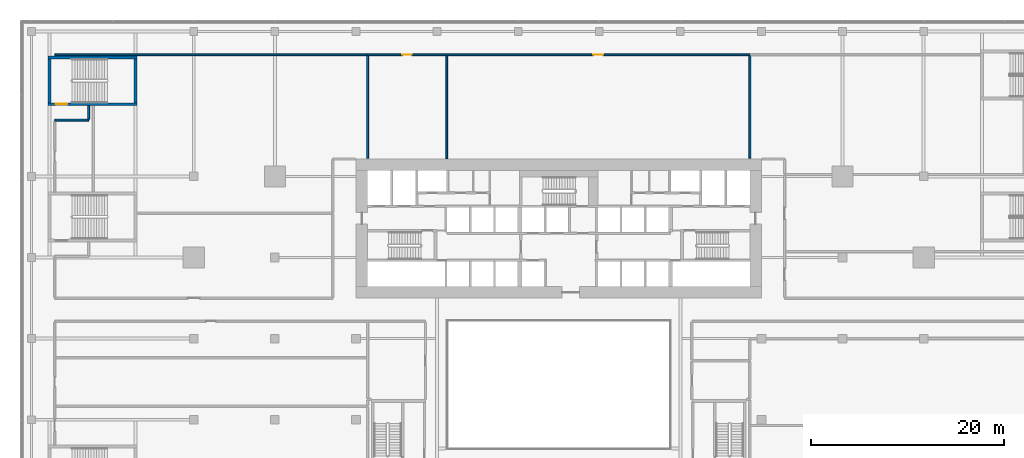
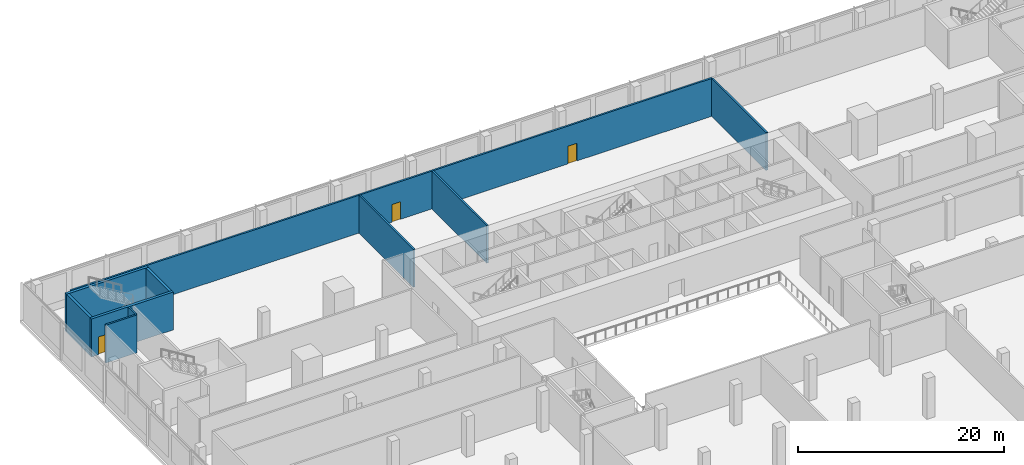
# One storey, part 33 of 39: 11 walls, 3 doors, 3 openings.
"""IFC4 building model written with IfcOpenShell, lengths in metres."""

from ifc_helpers import new_model, si_unit, direction, frame, frame_2d, origin, place, context, subcontext, project, spatial, rectangle, extrude, material, layer, layer_set, type_object, element, fill, save


model = new_model("IFC4")

# Units and contexts
model_context = context("Model", 3, precision=1e-05, world=origin(), true_north=direction((0.0, 1.0)))
body_context = subcontext(model_context, "Body", "Model", "MODEL_VIEW")
ifc_project = project(units=[si_unit("LENGTHUNIT", "METRE"), si_unit("AREAUNIT", "SQUARE_METRE"), si_unit("VOLUMEUNIT", "CUBIC_METRE"), si_unit("PLANEANGLEUNIT", "RADIAN"), si_unit("MASSUNIT", "GRAM", prefix="KILO")], contexts=[model_context])

# Site, building, storey
site_placement = place(None, origin())
site = spatial("IfcSite", under=ifc_project, at=site_placement, CompositionType="ELEMENT")
building_placement = place(site_placement, origin())
building = spatial("IfcBuilding", under=site, at=building_placement, Name="Saffron Gate Tower", CompositionType="ELEMENT")
storey_placement = place(building_placement, frame((0.0, 0.0, 14.39990234375)))
storey = spatial("IfcBuildingStorey", under=building, at=storey_placement, Name="L02", CompositionType="ELEMENT", Elevation=14.39990234375)

# Wall, opening, door
ifc_material_1 = material(Name="Concrete C70", Category="concrete")
ifc_layer_1 = layer(ifc_material_1, 0.300048828125)
ifc_layer_set_1 = layer_set([ifc_layer_1], Name="CW5 RC core wall 300 C70")
wall_type_1 = type_object("IfcWallType", Name="CW5 RC core wall 300 C70", PredefinedType="SOLIDWALL", material=ifc_layer_set_1)
wall_1_placement = place(storey_placement, frame((34.699951171875, 81.27490234375, 0.0), z_axis=(0.0, 0.0, 1.0), x_axis=(1.0, 0.0, 0.0)))
wall_1 = element("IfcWall", 1, at=wall_1_placement, inside=storey, type_object=wall_type_1, Name="Wall CW5-L02-F-1", PredefinedType="SOLIDWALL", context=body_context, shape_type="SweptSolid", body=[
    extrude(rectangle(XDim=9.199951171875, YDim=0.300048828125, at=frame_2d((4.60009765625, 0.0))), origin(), (0.0, 0.0, 1.0), 4.5),
])
opening_1_placement = place(wall_1_placement, frame((0.800048828125, 0.0, 0.0)))
opening_1 = element("IfcOpeningElement", 2, at=opening_1_placement, cuts=wall_1, Name="Opening CR-26", PredefinedType="OPENING", context=body_context, shape_type="SweptSolid", body=[
    extrude(rectangle(XDim=1.199951171875, YDim=2.10009765625, at=frame_2d((0.60009765625, 1.050048828125))), frame((0.0, 0.16015625, 0.0), z_axis=(0.0, -1.0, 0.0), x_axis=(1.0, 0.0, 0.0)), (0.0, 0.0, 1.0), 0.320068359375),
])
ifc_material_2 = material(Name="Steel fire door set", Category="steel")
door_type_1 = type_object("IfcDoorType", Name="CD12 Stair door 1200x2100 EI 120", OperationType="NOTDEFINED", PredefinedType="DOOR", material=ifc_material_2)
door_1_placement = place(opening_1_placement, origin())
door_1 = element("IfcDoor", 3, at=door_1_placement, inside=storey, type_object=door_type_1, Name="DOOR CR-26", OperationType="SINGLE_SWING_RIGHT", OverallHeight=2.10009765625, OverallWidth=1.199951171875, PredefinedType="DOOR", context=body_context, shape_type="SweptSolid", body=[
    extrude(rectangle(XDim=1.199951171875, YDim=2.10009765625, at=frame_2d((0.60009765625, 1.050048828125))), frame((0.0, 0.02490234375, 0.0), z_axis=(0.0, -1.0, 0.0), x_axis=(1.0, 0.0, 0.0)), (0.0, 0.0, 1.0), 0.050048828125),
])
fill(opening_1, door_1)

# Walls
for number, where, z_axis, x_axis, name in (
    (4, (34.85009765625, 81.425048828125, 0.0), (0.0, 0.0, 1.0), (0.0, 1.0, 0.0), "Wall CW5-L02-F-2"),
    (5, (43.75, 81.425048828125, 0.0), (0.0, 0.0, 1.0), (0.0, 1.0, 0.0), "Wall CW5-L02-F-3"),
):
    element("IfcWall", number, at=place(storey_placement, frame(where, z_axis=z_axis, x_axis=x_axis)), inside=storey, type_object=wall_type_1, Name=name, PredefinedType="SOLIDWALL", context=body_context, shape_type="SweptSolid", body=[
        extrude(rectangle(XDim=4.550048828125, YDim=0.300048828125, at=frame_2d((2.27490234375, 0.0))), origin(), (0.0, 0.0, 1.0), 4.5),
    ])
wall_2_placement = place(storey_placement, frame((34.699951171875, 86.125, 0.0), z_axis=(0.0, 0.0, 1.0), x_axis=(1.0, 0.0, 0.0)))
element("IfcWall", 6, at=wall_2_placement, inside=storey, type_object=wall_type_1, Name="Wall CW5-L02-F-4", PredefinedType="SOLIDWALL", context=body_context, shape_type="SweptSolid", body=[
    extrude(rectangle(XDim=9.199951171875, YDim=0.300048828125, at=frame_2d((4.60009765625, 0.0))), origin(), (0.0, 0.0, 1.0), 4.5),
])
ifc_material_3 = material(Name="Clay brick masonry, rendered", Category="masonry")
ifc_layer_2 = layer(ifc_material_3, 0.199951171875)
ifc_layer_set_2 = layer_set([ifc_layer_2], Name="PW2 Demising wall 200")
wall_type_2 = type_object("IfcWallType", Name="PW2 Demising wall 200", PredefinedType="PARTITIONING", material=ifc_layer_set_2)
wall_3_placement = place(storey_placement, frame((76.0, 86.300048828125, 0.0), z_axis=(0.0, 0.0, 1.0), x_axis=(0.0, -1.0, 0.0)))
element("IfcWall", 7, at=wall_3_placement, inside=storey, type_object=wall_type_2, Name="Wall P2-57", PredefinedType="PARTITIONING", context=body_context, shape_type="SweptSolid", body=[
    extrude(rectangle(XDim=10.650146484375, YDim=0.199951171875, at=frame_2d((5.3251953125, 0.0))), origin(), (0.0, 0.0, 1.0), 4.5),
])
ifc_layer_3 = layer(ifc_material_3, 0.199951171875)
ifc_layer_set_3 = layer_set([ifc_layer_3], Name="PW3 Corridor wall 200")
wall_type_3 = type_object("IfcWallType", Name="PW3 Corridor wall 200", PredefinedType="PARTITIONING", material=ifc_layer_set_3)
wall_4_placement = place(storey_placement, frame((35.39990234375, 79.625, 0.0), z_axis=(0.0, 0.0, 1.0), x_axis=(1.0, 0.0, 0.0)))
element("IfcWall", 8, at=wall_4_placement, inside=storey, type_object=wall_type_3, Name="Wall P2-34", PredefinedType="PARTITIONING", context=body_context, shape_type="SweptSolid", body=[
    extrude(rectangle(XDim=3.5, YDim=0.199951171875, at=frame_2d((1.75, 0.0))), origin(), (0.0, 0.0, 1.0), 4.5),
])

# Wall, openings, doors
wall_5_placement = place(storey_placement, frame((107.39990234375, 86.39990234375, 0.0), z_axis=(0.0, 0.0, 1.0), x_axis=(-1.0, 0.0, 0.0)))
wall_5 = element("IfcWall", 9, at=wall_5_placement, inside=storey, type_object=wall_type_3, Name="Wall P2-36", PredefinedType="PARTITIONING", context=body_context, shape_type="SweptSolid", body=[
    extrude(rectangle(XDim=39.599853515625, YDim=0.199951171875, at=frame_2d((19.7998046875, 0.0))), origin(), (0.0, 0.0, 1.0), 4.5),
])
opening_2_placement = place(wall_5_placement, frame((15.199951171875, 0.0, 0.0)))
opening_2 = element("IfcOpeningElement", 10, at=opening_2_placement, cuts=wall_5, Name="Opening P2-3", PredefinedType="OPENING", context=body_context, shape_type="SweptSolid", body=[
    extrude(rectangle(XDim=1.0, YDim=2.10009765625, at=frame_2d((0.5, 1.050048828125))), frame((0.0, 0.10986328125, 0.0), z_axis=(0.0, -1.0, 0.0), x_axis=(1.0, 0.0, 0.0)), (0.0, 0.0, 1.0), 0.219970703125),
])
opening_3_placement = place(wall_5_placement, frame((35.0, 0.0, 0.0)))
opening_3 = element("IfcOpeningElement", 11, at=opening_3_placement, cuts=wall_5, Name="Opening P2-2", PredefinedType="OPENING", context=body_context, shape_type="SweptSolid", body=[
    extrude(rectangle(XDim=1.0, YDim=2.10009765625, at=frame_2d((0.5, 1.050048828125))), frame((0.0, 0.10986328125, 0.0), z_axis=(0.0, -1.0, 0.0), x_axis=(1.0, 0.0, 0.0)), (0.0, 0.0, 1.0), 0.219970703125),
])
ifc_material_4 = material(Name="Timber door set", Category="wood")
door_type_2 = type_object("IfcDoorType", Name="RD1 Room door 900x2100", OperationType="NOTDEFINED", PredefinedType="DOOR", material=ifc_material_4)
door_2_placement = place(opening_2_placement, origin())
door_2 = element("IfcDoor", 12, at=door_2_placement, inside=storey, type_object=door_type_2, Name="Door P2-3", OperationType="SINGLE_SWING_LEFT", OverallHeight=2.10009765625, OverallWidth=1.0, PredefinedType="DOOR", context=body_context, shape_type="SweptSolid", body=[
    extrude(rectangle(XDim=1.0, YDim=2.10009765625, at=frame_2d((0.5, 1.050048828125))), frame((0.0, 0.02490234375, 0.0), z_axis=(0.0, -1.0, 0.0), x_axis=(1.0, 0.0, 0.0)), (0.0, 0.0, 1.0), 0.050048828125),
])
fill(opening_2, door_2)
door_3_placement = place(opening_3_placement, origin())
door_3 = element("IfcDoor", 13, at=door_3_placement, inside=storey, type_object=door_type_2, Name="Door P2-2", OperationType="SINGLE_SWING_RIGHT", OverallHeight=2.10009765625, OverallWidth=1.0, PredefinedType="DOOR", context=body_context, shape_type="SweptSolid", body=[
    extrude(rectangle(XDim=1.0, YDim=2.10009765625, at=frame_2d((0.5, 1.050048828125))), frame((0.0, 0.02490234375, 0.0), z_axis=(0.0, -1.0, 0.0), x_axis=(1.0, 0.0, 0.0)), (0.0, 0.0, 1.0), 0.050048828125),
])
fill(opening_3, door_3)

# Walls
wall_6_placement = place(storey_placement, frame((38.89990234375, 81.125, 0.0), z_axis=(0.0, 0.0, 1.0), x_axis=(0.0, -1.0, 0.0)))
element("IfcWall", 14, at=wall_6_placement, inside=storey, type_object=wall_type_3, Name="Wall P2-45", PredefinedType="PARTITIONING", context=body_context, shape_type="SweptSolid", body=[
    extrude(rectangle(XDim=1.39990234375, YDim=0.199951171875, at=frame_2d((0.699951171875, 0.0))), origin(), (0.0, 0.0, 1.0), 4.5),
])
ifc_layer_4 = layer(ifc_material_3, 0.199951171875)
ifc_layer_set_4 = layer_set([ifc_layer_4], Name="PW5 Room wall 200")
wall_type_4 = type_object("IfcWallType", Name="PW5 Room wall 200", PredefinedType="PARTITIONING", material=ifc_layer_set_4)
wall_7_placement = place(storey_placement, frame((35.39990234375, 86.39990234375, 0.0), z_axis=(0.0, 0.0, 1.0), x_axis=(1.0, 0.0, 0.0)))
element("IfcWall", 15, at=wall_7_placement, inside=storey, type_object=wall_type_4, Name="Wall P2-37", PredefinedType="PARTITIONING", context=body_context, shape_type="SweptSolid", body=[
    extrude(rectangle(XDim=32.380126953125, YDim=0.199951171875, at=frame_2d((16.18994140625, 0.0))), origin(), (0.0, 0.0, 1.0), 4.5),
])
for number, where, z_axis, x_axis, name in (
    (16, (67.800048828125, 86.300048828125, 0.0), (0.0, 0.0, 1.0), (0.0, -1.0, 0.0), "Wall P2-53"),
    (17, (107.39990234375, 86.300048828125, 0.0), (0.0, 0.0, 1.0), (0.0, -1.0, 0.0), "Wall P2-66"),
):
    element("IfcWall", number, at=place(storey_placement, frame(where, z_axis=z_axis, x_axis=x_axis)), inside=storey, type_object=wall_type_4, Name=name, PredefinedType="PARTITIONING", context=body_context, shape_type="SweptSolid", body=[
        extrude(rectangle(XDim=10.60009765625, YDim=0.199951171875, at=frame_2d((5.300048828125, 0.0))), origin(), (0.0, 0.0, 1.0), 4.5),
    ])

save(model, "model.ifc")
